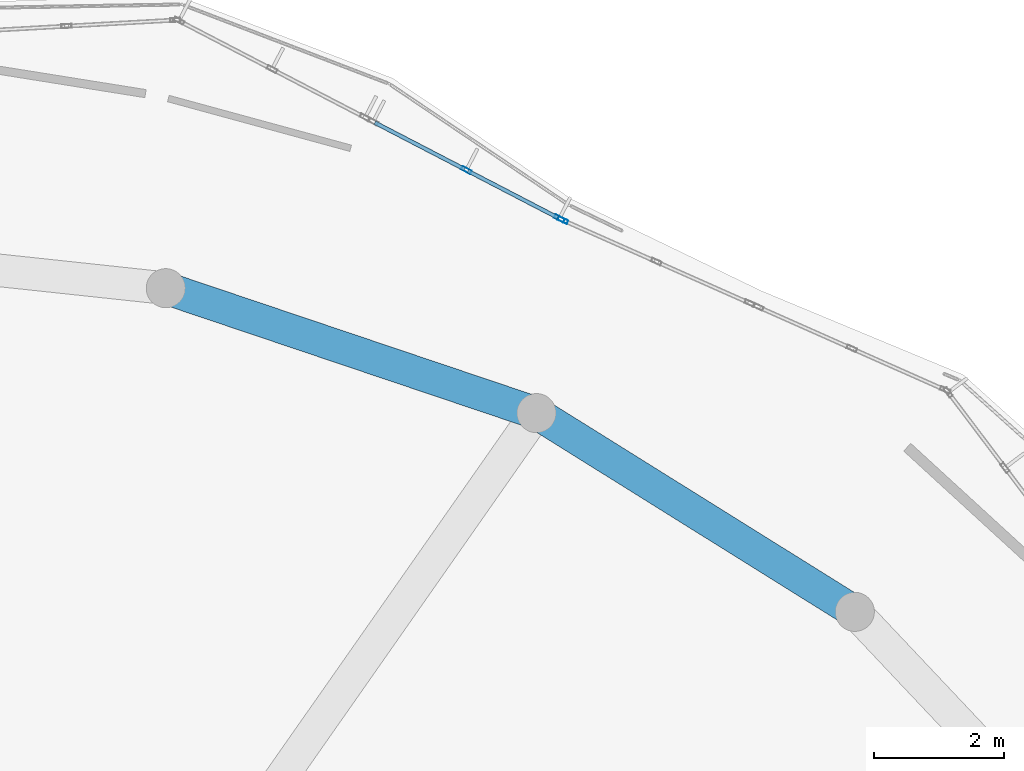
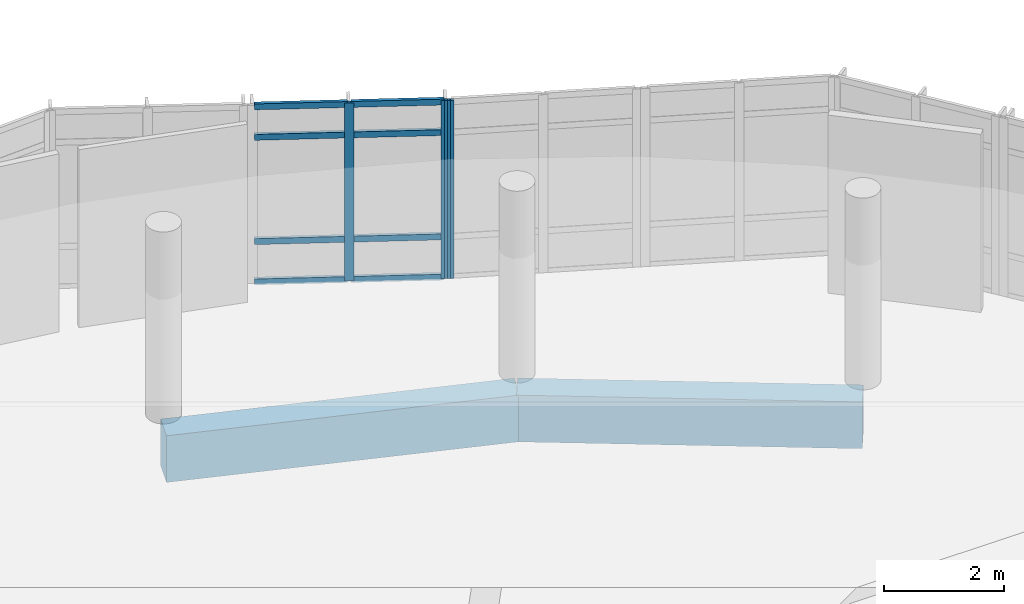
# One storey, part 44 of 74: 11 members, 2 beams, 2 elements without a shape of their own.
"""IFC4 building model written with IfcOpenShell, lengths in metres."""

from ifc_helpers import new_model, si_unit, derived_unit, direction, frame, origin, origin_2d, place, context, subcontext, project, spatial, rectangle, hollow_rectangle, extrude, material, layer, layer_set, material_profile, profile_set, type_object, element, aggregate, save


model = new_model("IFC4")

# Units and contexts
model_context = context("Model", 3, precision=1e-05, world=origin(), true_north=direction((0.0, 1.0)))
body_context = subcontext(model_context, "Body", "Model", "MODEL_VIEW")
ifc_project = project(units=[si_unit("LENGTHUNIT", "METRE"), si_unit("AREAUNIT", "SQUARE_METRE"), si_unit("VOLUMEUNIT", "CUBIC_METRE"), si_unit("PLANEANGLEUNIT", "RADIAN"), si_unit("MASSUNIT", "GRAM", prefix="KILO"), derived_unit("THERMALTRANSMITTANCEUNIT", [(si_unit("POWERUNIT", "WATT"), 1), (si_unit("LENGTHUNIT", "METRE"), -2), (si_unit("THERMODYNAMICTEMPERATUREUNIT", "KELVIN"), -1)])], contexts=[model_context])

# Site, building, storey
site_placement = place(None, origin())
site = spatial("IfcSite", under=ifc_project, at=site_placement, CompositionType="ELEMENT")
building_placement = place(site_placement, origin())
building = spatial("IfcBuilding", under=site, at=building_placement, Name="Elbkamm Science Centre", CompositionType="ELEMENT")
storey_placement = place(building_placement, frame((0.0, 0.0, 14.39990234375)))
storey = spatial("IfcBuildingStorey", under=building, at=storey_placement, Name="L03", CompositionType="ELEMENT", Elevation=14.39990234375)

# Beams
ifc_material_1 = material(Name="Concrete C40/50", Category="concrete")
ifc_material_profile_1 = material_profile(ifc_material_1, rectangle(XDim=0.5, YDim=0.949951171875, at=origin_2d()), Name="RC 500x950")
ifc_profile_set_1 = profile_set([ifc_material_profile_1], Name="Concrete C40/50")
beam_type = type_object("IfcBeamType", Name="BM-RC-500x950", PredefinedType="BEAM", material=ifc_profile_set_1)
beam_1_placement = place(storey_placement, frame((79.68798828125, 80.77587890625, -0.7548828125), z_axis=(-0.848229099729, 0.529629487824, 0.0), x_axis=(-0.529629487824, -0.848229099729, 0.0)))
element("IfcBeam", 1, at=beam_1_placement, inside=storey, type_object=beam_type, Name="L03 Elliptical Shell Perimeter Ring Beam 04", PredefinedType="SPANDREL", context=body_context, shape_type="SweptSolid", body=[
    extrude(rectangle(XDim=0.5, YDim=0.949951171875, at=origin_2d()), origin(), (0.0, 0.0, 1.0), 5.762451171875),
])
beam_2_placement = place(storey_placement, frame((74.800048828125, 83.827880859375, -0.7548828125), z_axis=(-0.947637651085, 0.319347588444, 0.0), x_axis=(-0.319347588444, -0.947637651085, 0.0)))
element("IfcBeam", 2, at=beam_2_placement, inside=storey, type_object=beam_type, Name="L03 Elliptical Shell Perimeter Ring Beam 05", PredefinedType="SPANDREL", context=body_context, shape_type="SweptSolid", body=[
    extrude(rectangle(XDim=0.5, YDim=0.949951171875, at=origin_2d()), origin(), (0.0, 0.0, 1.0), 6.006591796875),
])

# Curtain wall, member
ifc_material_2 = material(Name="Powder-coated aluminium and triple low-E glazing", Category="aluminium")
ifc_layer_1 = layer(ifc_material_2, 0.159912109375)
ifc_layer_set_1 = layer_set([ifc_layer_1], Name="Powder-coated aluminium and triple low-E glazing")
curtain_wall_type_1 = type_object("IfcCurtainWallType", Name="CW-UNIT-3200x3620", PredefinedType="USERDEFINED", material=ifc_layer_set_1)
curtain_wall_1_placement = place(storey_placement, origin())
curtain_wall_1 = element("IfcCurtainWall", 3, at=curtain_wall_1_placement, inside=storey, type_object=curtain_wall_type_1, Name="L03 Unitised Curtain Wall 052", ObjectType="UNITISED CURTAIN WALL", PredefinedType="USERDEFINED")
ifc_material_3 = material(Name="Powder-coated aluminium EN AW-6060", Category="aluminium")
ifc_material_profile_2 = material_profile(ifc_material_3, hollow_rectangle(XDim=0.06005859375, YDim=0.159912109375, WallThickness=0.00390625, at=origin_2d()), Name="ALU M60x160")
ifc_profile_set_2 = profile_set([ifc_material_profile_2], Name="Powder-coated aluminium EN AW-6060")
member_type_1 = type_object("IfcMemberType", Name="CW-MUL-60x160", PredefinedType="MULLION", material=ifc_profile_set_2)
member_1_placement = place(storey_placement, frame((75.20556640625, 86.7900390625, 0.0), z_axis=(0.0, 0.0, 1.0), x_axis=(-0.405944352522, -0.913897796614, 0.0)))
member_1 = element("IfcMember", 4, at=member_1_placement, type_object=member_type_1, Name="CW-023 mullion 3", PredefinedType="MULLION", context=body_context, shape_type="SweptSolid", body=[
    extrude(hollow_rectangle(XDim=0.06005859375, YDim=0.159912109375, WallThickness=0.00390625, at=origin_2d()), origin(), (0.0, 0.0, 1.0), 3.6201171875),
])
aggregate(curtain_wall_1, [member_1])

# Curtain wall, members
ifc_layer_2 = layer(ifc_material_2, 0.159912109375)
ifc_layer_set_2 = layer_set([ifc_layer_2], Name="Powder-coated aluminium and triple low-E glazing")
curtain_wall_type_2 = type_object("IfcCurtainWallType", Name="CW-UNIT-3280x3620", PredefinedType="USERDEFINED", material=ifc_layer_set_2)
curtain_wall_2_placement = place(storey_placement, origin())
curtain_wall_2 = element("IfcCurtainWall", 5, at=curtain_wall_2_placement, inside=storey, type_object=curtain_wall_type_2, Name="L03 Unitised Curtain Wall 053", ObjectType="UNITISED CURTAIN WALL", PredefinedType="USERDEFINED")
member_2_placement = place(storey_placement, frame((75.151611328125, 86.816162109375, 0.0), z_axis=(0.0, 0.0, 1.0), x_axis=(-0.461070562419, -0.887363474835, 0.0)))
member_2 = element("IfcMember", 6, at=member_2_placement, type_object=member_type_1, Name="CW-024 mullion 1", PredefinedType="MULLION", context=body_context, shape_type="SweptSolid", body=[
    extrude(hollow_rectangle(XDim=0.06005859375, YDim=0.159912109375, WallThickness=0.00390625, at=origin_2d()), origin(), (0.0, 0.0, 1.0), 3.6201171875),
])
member_3_placement = place(storey_placement, frame((73.72265625, 87.55859375, 0.0), z_axis=(0.0, 0.0, 1.0), x_axis=(-0.461070562419, -0.887363474835, 0.0)))
member_3 = element("IfcMember", 7, at=member_3_placement, type_object=member_type_1, Name="CW-024 mullion 2", PredefinedType="MULLION", context=body_context, shape_type="SweptSolid", body=[
    extrude(hollow_rectangle(XDim=0.06005859375, YDim=0.159912109375, WallThickness=0.00390625, at=origin_2d()), origin(), (0.0, 0.0, 1.0), 3.6201171875),
])
ifc_material_profile_3 = material_profile(ifc_material_3, hollow_rectangle(XDim=0.06005859375, YDim=0.1201171875, WallThickness=0.00341796875, at=origin_2d()), Name="ALU T60x120")
ifc_profile_set_3 = profile_set([ifc_material_profile_3], Name="Powder-coated aluminium EN AW-6060")
member_type_2 = type_object("IfcMemberType", Name="CW-TRN-60x120", PredefinedType="USERDEFINED", material=ifc_profile_set_3)
member_4_placement = place(storey_placement, frame((75.125, 86.830078125, 0.030029296875), z_axis=(-0.88735856407, 0.461080013416, 0.0), x_axis=(-0.461080013416, -0.88735856407, 0.0)))
member_4 = element("IfcMember", 8, at=member_4_placement, type_object=member_type_2, Name="CW-024 transom 1.1", ObjectType="TRANSOM", PredefinedType="USERDEFINED", context=body_context, shape_type="SweptSolid", body=[
    extrude(hollow_rectangle(XDim=0.06005859375, YDim=0.1201171875, WallThickness=0.00341796875, at=origin_2d()), origin(), (0.0, 0.0, 1.0), 1.55029296875),
])
member_5_placement = place(storey_placement, frame((75.125, 86.830078125, 0.85009765625), z_axis=(-0.88735856407, 0.461080013416, 0.0), x_axis=(-0.461080013416, -0.88735856407, 0.0)))
member_5 = element("IfcMember", 9, at=member_5_placement, type_object=member_type_2, Name="CW-024 transom 1.2", ObjectType="TRANSOM", PredefinedType="USERDEFINED", context=body_context, shape_type="SweptSolid", body=[
    extrude(hollow_rectangle(XDim=0.06005859375, YDim=0.1201171875, WallThickness=0.00341796875, at=origin_2d()), origin(), (0.0, 0.0, 1.0), 1.55029296875),
])
member_6_placement = place(storey_placement, frame((75.125, 86.830078125, 2.97021484375), z_axis=(-0.88735856407, 0.461080013416, 0.0), x_axis=(-0.461080013416, -0.88735856407, 0.0)))
member_6 = element("IfcMember", 10, at=member_6_placement, type_object=member_type_2, Name="CW-024 transom 1.3", ObjectType="TRANSOM", PredefinedType="USERDEFINED", context=body_context, shape_type="SweptSolid", body=[
    extrude(hollow_rectangle(XDim=0.06005859375, YDim=0.1201171875, WallThickness=0.00341796875, at=origin_2d()), origin(), (0.0, 0.0, 1.0), 1.55029296875),
])
member_7_placement = place(storey_placement, frame((75.125, 86.830078125, 3.590087890625), z_axis=(-0.88735856407, 0.461080013416, 0.0), x_axis=(-0.461080013416, -0.88735856407, 0.0)))
member_7 = element("IfcMember", 11, at=member_7_placement, type_object=member_type_2, Name="CW-024 transom 1.4", ObjectType="TRANSOM", PredefinedType="USERDEFINED", context=body_context, shape_type="SweptSolid", body=[
    extrude(hollow_rectangle(XDim=0.06005859375, YDim=0.1201171875, WallThickness=0.00341796875, at=origin_2d()), origin(), (0.0, 0.0, 1.0), 1.55029296875),
])
member_8_placement = place(storey_placement, frame((73.696044921875, 87.572509765625, 0.030029296875), z_axis=(-0.887392034924, 0.46101559231, 0.0), x_axis=(-0.46101559231, -0.887392034924, 0.0)))
member_8 = element("IfcMember", 12, at=member_8_placement, type_object=member_type_2, Name="CW-024 transom 2.1", ObjectType="TRANSOM", PredefinedType="USERDEFINED", context=body_context, shape_type="SweptSolid", body=[
    extrude(hollow_rectangle(XDim=0.06005859375, YDim=0.1201171875, WallThickness=0.00341796875, at=origin_2d()), origin(), (0.0, 0.0, 1.0), 1.550537109375),
])
member_9_placement = place(storey_placement, frame((73.696044921875, 87.572509765625, 0.85009765625), z_axis=(-0.887392034924, 0.46101559231, 0.0), x_axis=(-0.46101559231, -0.887392034924, 0.0)))
member_9 = element("IfcMember", 13, at=member_9_placement, type_object=member_type_2, Name="CW-024 transom 2.2", ObjectType="TRANSOM", PredefinedType="USERDEFINED", context=body_context, shape_type="SweptSolid", body=[
    extrude(hollow_rectangle(XDim=0.06005859375, YDim=0.1201171875, WallThickness=0.00341796875, at=origin_2d()), origin(), (0.0, 0.0, 1.0), 1.550537109375),
])
member_10_placement = place(storey_placement, frame((73.696044921875, 87.572509765625, 2.97021484375), z_axis=(-0.887392034924, 0.46101559231, 0.0), x_axis=(-0.46101559231, -0.887392034924, 0.0)))
member_10 = element("IfcMember", 14, at=member_10_placement, type_object=member_type_2, Name="CW-024 transom 2.3", ObjectType="TRANSOM", PredefinedType="USERDEFINED", context=body_context, shape_type="SweptSolid", body=[
    extrude(hollow_rectangle(XDim=0.06005859375, YDim=0.1201171875, WallThickness=0.00341796875, at=origin_2d()), origin(), (0.0, 0.0, 1.0), 1.550537109375),
])
member_11_placement = place(storey_placement, frame((73.696044921875, 87.572509765625, 3.590087890625), z_axis=(-0.887392034924, 0.46101559231, 0.0), x_axis=(-0.46101559231, -0.887392034924, 0.0)))
member_11 = element("IfcMember", 15, at=member_11_placement, type_object=member_type_2, Name="CW-024 transom 2.4", ObjectType="TRANSOM", PredefinedType="USERDEFINED", context=body_context, shape_type="SweptSolid", body=[
    extrude(hollow_rectangle(XDim=0.06005859375, YDim=0.1201171875, WallThickness=0.00341796875, at=origin_2d()), origin(), (0.0, 0.0, 1.0), 1.550537109375),
])
aggregate(curtain_wall_2, [member_2, member_3, member_4, member_5, member_6, member_7, member_8, member_9, member_10, member_11])

save(model, "model.ifc")
